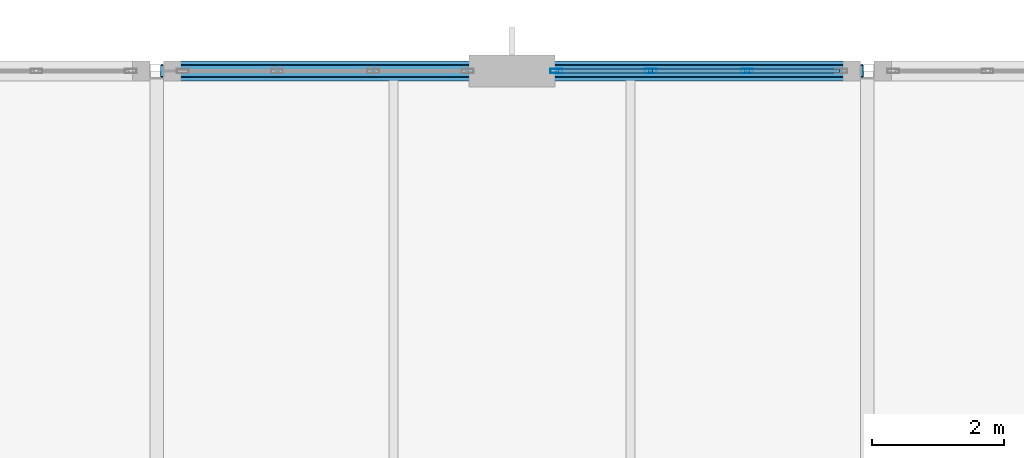
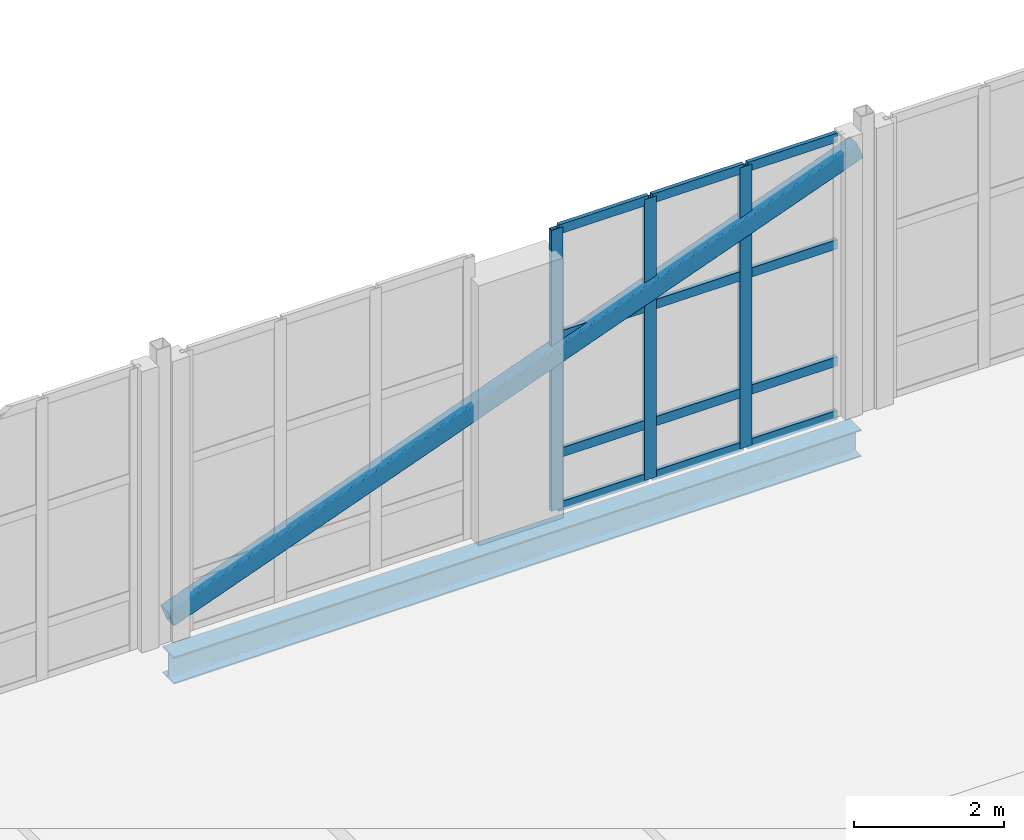
# One storey, part 47 of 86: 16 members, 1 beam, 1 element without a shape of its own.
"""IFC4 building model written with IfcOpenShell, lengths in metres."""

from ifc_helpers import new_model, si_unit, direction, frame, origin, origin_2d, place, context, subcontext, project, spatial, hollow_rectangle, i_section, extrude, material, layer, layer_set, material_profile, profile_set, type_object, element, aggregate, save


model = new_model("IFC4")

# Units and contexts
model_context = context("Model", 3, precision=1e-05, world=origin(), true_north=direction((0.0, 1.0)))
body_context = subcontext(model_context, "Body", "Model", "MODEL_VIEW")
ifc_project = project(units=[si_unit("LENGTHUNIT", "METRE"), si_unit("AREAUNIT", "SQUARE_METRE"), si_unit("VOLUMEUNIT", "CUBIC_METRE"), si_unit("PLANEANGLEUNIT", "RADIAN"), si_unit("MASSUNIT", "GRAM", prefix="KILO")], contexts=[model_context])

# Site, building, storey
site_placement = place(None, origin())
site = spatial("IfcSite", under=ifc_project, at=site_placement, CompositionType="ELEMENT")
building_placement = place(site_placement, origin())
building = spatial("IfcBuilding", under=site, at=building_placement, Name="Tasgan Crest Museum", CompositionType="ELEMENT")
storey_placement = place(building_placement, frame((0.0, 0.0, 24.0)))
storey = spatial("IfcBuildingStorey", under=building, at=storey_placement, Name="L04", CompositionType="ELEMENT", Elevation=24.0)

# Beam
ifc_material_1 = material(Name="Steel S355J2", Category="steel")
ifc_material_profile_1 = material_profile(ifc_material_1, i_section(OverallWidth=0.300048828125, OverallDepth=0.43994140625, WebThickness=0.011474609375, FlangeThickness=0.02099609375, FilletRadius=0.027099609375, at=origin_2d()), Name="HEA 450")
ifc_profile_set_1 = profile_set([ifc_material_profile_1], Name="Steel S355J2")
beam_type = type_object("IfcBeamType", Name="BM-G-HEA450", PredefinedType="BEAM", material=ifc_profile_set_1)
beam_placement = place(storey_placement, frame((21.72607421875, 112.0, -0.4599609375), z_axis=(1.0, 0.0, 0.0), x_axis=(0.0, 1.0, 0.0)))
element("IfcBeam", 1, at=beam_placement, inside=storey, type_object=beam_type, Name="Girder L04 M 21.6-32.4", PredefinedType="BEAM", context=body_context, shape_type="SweptSolid", body=[
    extrude(i_section(OverallWidth=0.300048828125, OverallDepth=0.43994140625, WebThickness=0.011474609375, FlangeThickness=0.02099609375, FilletRadius=0.027099609375, at=origin_2d()), origin(), (0.0, 0.0, 1.0), 10.5478515625),
])

# Curtain wall, members
ifc_material_2 = material(Name="Triple-Glazed Aluminium Curtain Wall", Category="aluminium")
ifc_layer = layer(ifc_material_2, 0.179931640625, Name="CW-GAL-X-48")
ifc_layer_set = layer_set([ifc_layer], Name="Triple-Glazed Aluminium Curtain Wall")
curtain_wall_type = type_object("IfcCurtainWallType", Name="CW-GAL-X-48", PredefinedType="NOTDEFINED", material=ifc_layer_set)
curtain_wall_placement = place(storey_placement, origin())
curtain_wall = element("IfcCurtainWall", 2, at=curtain_wall_placement, inside=storey, type_object=curtain_wall_type, Name="Curtain wall L04 167", PredefinedType="NOTDEFINED")
ifc_material_3 = material(Name="Anodised Aluminium", Category="aluminium")
ifc_material_profile_2 = material_profile(ifc_material_3, hollow_rectangle(XDim=0.06494140625, YDim=0.179931640625, WallThickness=0.0048828125, at=origin_2d()), Name="ALU MULLION 180x65x5")
ifc_profile_set_2 = profile_set([ifc_material_profile_2], Name="Anodised Aluminium")
member_type_1 = type_object("IfcMemberType", Name="CW-MULLION-180", PredefinedType="MULLION", material=ifc_profile_set_2)
member_1_placement = place(storey_placement, frame((30.57177734375, 112.0, 0.0), z_axis=(0.0, 0.0, 1.0), x_axis=(0.0, -1.0, 0.0)))
member_1 = element("IfcMember", 3, at=member_1_placement, type_object=member_type_1, Name="CW13 mullion 2", PredefinedType="MULLION", context=body_context, shape_type="SweptSolid", body=[
    extrude(hollow_rectangle(XDim=0.06494140625, YDim=0.179931640625, WallThickness=0.0048828125, at=origin_2d()), origin(), (0.0, 0.0, 1.0), 4.56005859375),
])
member_2_placement = place(storey_placement, frame((29.1083984375, 112.0, 0.0), z_axis=(0.0, 0.0, 1.0), x_axis=(0.0, -1.0, 0.0)))
member_2 = element("IfcMember", 4, at=member_2_placement, type_object=member_type_1, Name="CW13 mullion 3", PredefinedType="MULLION", context=body_context, shape_type="SweptSolid", body=[
    extrude(hollow_rectangle(XDim=0.06494140625, YDim=0.179931640625, WallThickness=0.0048828125, at=origin_2d()), origin(), (0.0, 0.0, 1.0), 4.56005859375),
])
member_3_placement = place(storey_placement, frame((27.675048828125, 112.0, 0.0), z_axis=(0.0, 0.0, 1.0), x_axis=(0.0, -1.0, 0.0)))
member_3 = element("IfcMember", 5, at=member_3_placement, type_object=member_type_1, Name="CW13 mullion 4", PredefinedType="MULLION", context=body_context, shape_type="SweptSolid", body=[
    extrude(hollow_rectangle(XDim=0.06494140625, YDim=0.179931640625, WallThickness=0.0048828125, at=origin_2d()), origin(), (0.0, 0.0, 1.0), 4.56005859375),
])
ifc_material_4 = material(Name="Anodised Aluminium", Category="aluminium")
ifc_material_profile_3 = material_profile(ifc_material_4, hollow_rectangle(XDim=0.06005859375, YDim=0.14990234375, WallThickness=0.0048828125, at=origin_2d()), Name="ALU TRANSOM 150x60x5")
ifc_profile_set_3 = profile_set([ifc_material_profile_3], Name="Anodised Aluminium")
member_type_2 = type_object("IfcMemberType", Name="CW-TRANSOM-150", PredefinedType="USERDEFINED", material=ifc_profile_set_3)
member_4_placement = place(storey_placement, frame((31.97509765625, 112.0, 0.030029296875), z_axis=(-1.0, 0.0, 0.0), x_axis=(0.0, -1.0, 0.0)))
member_4 = element("IfcMember", 6, at=member_4_placement, type_object=member_type_2, Name="CW13 transom 1.1", ObjectType="TRANSOM", PredefinedType="USERDEFINED", context=body_context, shape_type="SweptSolid", body=[
    extrude(hollow_rectangle(XDim=0.06005859375, YDim=0.14990234375, WallThickness=0.0048828125, at=origin_2d()), origin(), (0.0, 0.0, 1.0), 1.37353515625),
])
member_5_placement = place(storey_placement, frame((31.97509765625, 112.0, 0.89990234375), z_axis=(-1.0, 0.0, 0.0), x_axis=(0.0, -1.0, 0.0)))
member_5 = element("IfcMember", 7, at=member_5_placement, type_object=member_type_2, Name="CW13 transom 1.2", ObjectType="TRANSOM", PredefinedType="USERDEFINED", context=body_context, shape_type="SweptSolid", body=[
    extrude(hollow_rectangle(XDim=0.06005859375, YDim=0.14990234375, WallThickness=0.0048828125, at=origin_2d()), origin(), (0.0, 0.0, 1.0), 1.37353515625),
])
member_6_placement = place(storey_placement, frame((31.97509765625, 112.0, 2.800048828125), z_axis=(-1.0, 0.0, 0.0), x_axis=(0.0, -1.0, 0.0)))
member_6 = element("IfcMember", 8, at=member_6_placement, type_object=member_type_2, Name="CW13 transom 1.3", ObjectType="TRANSOM", PredefinedType="USERDEFINED", context=body_context, shape_type="SweptSolid", body=[
    extrude(hollow_rectangle(XDim=0.06005859375, YDim=0.14990234375, WallThickness=0.0048828125, at=origin_2d()), origin(), (0.0, 0.0, 1.0), 1.37353515625),
])
member_7_placement = place(storey_placement, frame((31.97509765625, 112.0, 4.530029296875), z_axis=(-1.0, 0.0, 0.0), x_axis=(0.0, -1.0, 0.0)))
member_7 = element("IfcMember", 9, at=member_7_placement, type_object=member_type_2, Name="CW13 transom 1.4", ObjectType="TRANSOM", PredefinedType="USERDEFINED", context=body_context, shape_type="SweptSolid", body=[
    extrude(hollow_rectangle(XDim=0.06005859375, YDim=0.14990234375, WallThickness=0.0048828125, at=origin_2d()), origin(), (0.0, 0.0, 1.0), 1.37353515625),
])
member_8_placement = place(storey_placement, frame((30.541748046875, 112.0, 0.030029296875), z_axis=(-1.0, 0.0, 0.0), x_axis=(0.0, -1.0, 0.0)))
member_8 = element("IfcMember", 10, at=member_8_placement, type_object=member_type_2, Name="CW13 transom 2.1", ObjectType="TRANSOM", PredefinedType="USERDEFINED", context=body_context, shape_type="SweptSolid", body=[
    extrude(hollow_rectangle(XDim=0.06005859375, YDim=0.14990234375, WallThickness=0.0048828125, at=origin_2d()), origin(), (0.0, 0.0, 1.0), 1.4033203125),
])
member_9_placement = place(storey_placement, frame((30.541748046875, 112.0, 0.89990234375), z_axis=(-1.0, 0.0, 0.0), x_axis=(0.0, -1.0, 0.0)))
member_9 = element("IfcMember", 11, at=member_9_placement, type_object=member_type_2, Name="CW13 transom 2.2", ObjectType="TRANSOM", PredefinedType="USERDEFINED", context=body_context, shape_type="SweptSolid", body=[
    extrude(hollow_rectangle(XDim=0.06005859375, YDim=0.14990234375, WallThickness=0.0048828125, at=origin_2d()), origin(), (0.0, 0.0, 1.0), 1.4033203125),
])
member_10_placement = place(storey_placement, frame((30.541748046875, 112.0, 2.800048828125), z_axis=(-1.0, 0.0, 0.0), x_axis=(0.0, -1.0, 0.0)))
member_10 = element("IfcMember", 12, at=member_10_placement, type_object=member_type_2, Name="CW13 transom 2.3", ObjectType="TRANSOM", PredefinedType="USERDEFINED", context=body_context, shape_type="SweptSolid", body=[
    extrude(hollow_rectangle(XDim=0.06005859375, YDim=0.14990234375, WallThickness=0.0048828125, at=origin_2d()), origin(), (0.0, 0.0, 1.0), 1.4033203125),
])
member_11_placement = place(storey_placement, frame((30.541748046875, 112.0, 4.530029296875), z_axis=(-1.0, 0.0, 0.0), x_axis=(0.0, -1.0, 0.0)))
member_11 = element("IfcMember", 13, at=member_11_placement, type_object=member_type_2, Name="CW13 transom 2.4", ObjectType="TRANSOM", PredefinedType="USERDEFINED", context=body_context, shape_type="SweptSolid", body=[
    extrude(hollow_rectangle(XDim=0.06005859375, YDim=0.14990234375, WallThickness=0.0048828125, at=origin_2d()), origin(), (0.0, 0.0, 1.0), 1.4033203125),
])
member_12_placement = place(storey_placement, frame((29.078369140625, 112.0, 0.030029296875), z_axis=(-1.0, 0.0, 0.0), x_axis=(0.0, -1.0, 0.0)))
member_12 = element("IfcMember", 14, at=member_12_placement, type_object=member_type_2, Name="CW13 transom 3.1", ObjectType="TRANSOM", PredefinedType="USERDEFINED", context=body_context, shape_type="SweptSolid", body=[
    extrude(hollow_rectangle(XDim=0.06005859375, YDim=0.14990234375, WallThickness=0.0048828125, at=origin_2d()), origin(), (0.0, 0.0, 1.0), 1.373291015625),
])
member_13_placement = place(storey_placement, frame((29.078369140625, 112.0, 0.89990234375), z_axis=(-1.0, 0.0, 0.0), x_axis=(0.0, -1.0, 0.0)))
member_13 = element("IfcMember", 15, at=member_13_placement, type_object=member_type_2, Name="CW13 transom 3.2", ObjectType="TRANSOM", PredefinedType="USERDEFINED", context=body_context, shape_type="SweptSolid", body=[
    extrude(hollow_rectangle(XDim=0.06005859375, YDim=0.14990234375, WallThickness=0.0048828125, at=origin_2d()), origin(), (0.0, 0.0, 1.0), 1.373291015625),
])
member_14_placement = place(storey_placement, frame((29.078369140625, 112.0, 2.800048828125), z_axis=(-1.0, 0.0, 0.0), x_axis=(0.0, -1.0, 0.0)))
member_14 = element("IfcMember", 16, at=member_14_placement, type_object=member_type_2, Name="CW13 transom 3.3", ObjectType="TRANSOM", PredefinedType="USERDEFINED", context=body_context, shape_type="SweptSolid", body=[
    extrude(hollow_rectangle(XDim=0.06005859375, YDim=0.14990234375, WallThickness=0.0048828125, at=origin_2d()), origin(), (0.0, 0.0, 1.0), 1.373291015625),
])
member_15_placement = place(storey_placement, frame((29.078369140625, 112.0, 4.530029296875), z_axis=(-1.0, 0.0, 0.0), x_axis=(0.0, -1.0, 0.0)))
member_15 = element("IfcMember", 17, at=member_15_placement, type_object=member_type_2, Name="CW13 transom 3.4", ObjectType="TRANSOM", PredefinedType="USERDEFINED", context=body_context, shape_type="SweptSolid", body=[
    extrude(hollow_rectangle(XDim=0.06005859375, YDim=0.14990234375, WallThickness=0.0048828125, at=origin_2d()), origin(), (0.0, 0.0, 1.0), 1.373291015625),
])
aggregate(curtain_wall, [member_1, member_2, member_3, member_4, member_5, member_6, member_7, member_8, member_9, member_10, member_11, member_12, member_13, member_14, member_15])

# Member
ifc_material_5 = material(Name="Steel S355K2", Category="steel")
ifc_material_profile_4 = material_profile(ifc_material_5, hollow_rectangle(XDim=0.199951171875, YDim=0.300048828125, WallThickness=0.012451171875, InnerFilletRadius=0.012451171875, OuterFilletRadius=0.02490234375, at=origin_2d()), Name="RHS 300x200x12.5")
ifc_profile_set_4 = profile_set([ifc_material_profile_4], Name="Steel S355K2")
member_type_3 = type_object("IfcMemberType", Name="MEM-BR-RHS300", PredefinedType="BRACE", material=ifc_profile_set_4)
member_16_placement = place(storey_placement, frame((21.7099609375, 112.0, 0.35009765625), z_axis=(0.938286176688, 0.0, 0.345859871387), x_axis=(0.0, 1.0, 0.0)))
element("IfcMember", 18, at=member_16_placement, inside=storey, type_object=member_type_3, Name="Diagonal brace L04 M 21.6-32.4", PredefinedType="BRACE", context=body_context, shape_type="SweptSolid", body=[
    extrude(hollow_rectangle(XDim=0.199951171875, YDim=0.300048828125, WallThickness=0.012451171875, InnerFilletRadius=0.012451171875, OuterFilletRadius=0.02490234375, at=origin_2d()), origin(), (0.0, 0.0, 1.0), 11.27587890625),
])

save(model, "model.ifc")
